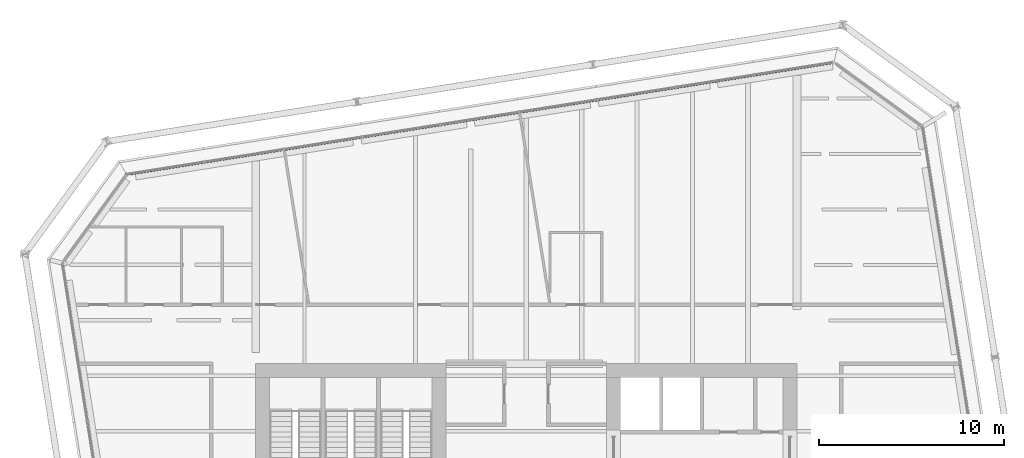
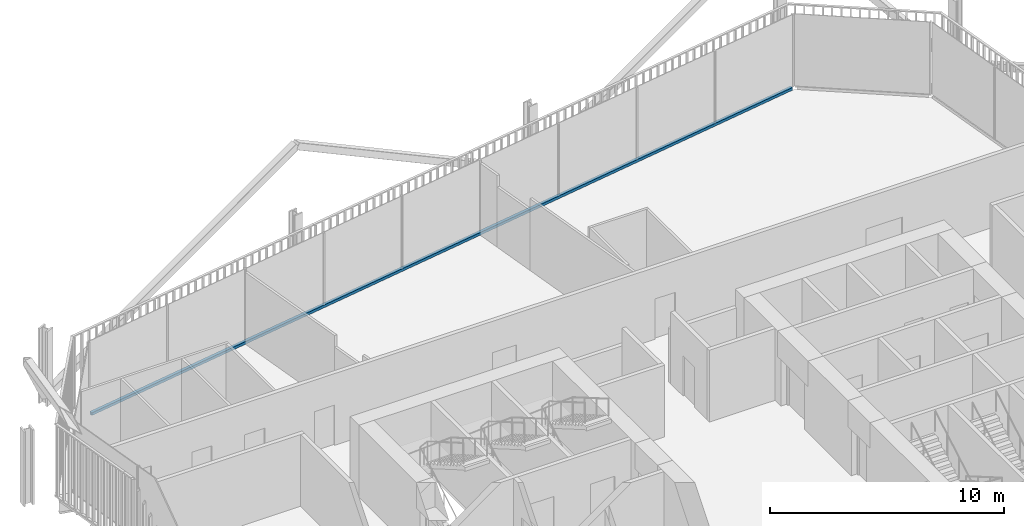
# One storey, part 9 of 19: 1 member, 1 element without a shape of its own.
"""IFC4 building model written with IfcOpenShell, lengths in metres."""

from ifc_helpers import new_model, si_unit, direction, frame, origin, origin_2d, place, context, subcontext, project, spatial, rectangle, extrude, material, layer, layer_set, material_profile, profile_set, type_object, element, aggregate, save


model = new_model("IFC4")

# Units and contexts
model_context = context("Model", 3, precision=1e-05, world=origin(), true_north=direction((0.0, 1.0)))
body_context = subcontext(model_context, "Body", "Model", "MODEL_VIEW")
ifc_project = project(units=[si_unit("LENGTHUNIT", "METRE"), si_unit("AREAUNIT", "SQUARE_METRE"), si_unit("VOLUMEUNIT", "CUBIC_METRE"), si_unit("PLANEANGLEUNIT", "RADIAN"), si_unit("MASSUNIT", "GRAM", prefix="KILO")], contexts=[model_context])

# Site, building, storey
site_placement = place(None, origin())
site = spatial("IfcSite", under=ifc_project, at=site_placement, CompositionType="ELEMENT")
building_placement = place(site_placement, origin())
building = spatial("IfcBuilding", under=site, at=building_placement, Name="Millrace Tower", CompositionType="ELEMENT")
storey_placement = place(building_placement, frame((0.0, 0.0, 129.5)))
storey = spatial("IfcBuildingStorey", under=building, at=storey_placement, Name="L28", CompositionType="ELEMENT", Elevation=129.5)

# Curtain wall, member
ifc_material_1 = material(Name="Aluminium and glass", Category="aluminium")
ifc_layer = layer(ifc_material_1, 0.14990234375)
ifc_layer_set = layer_set([ifc_layer], Name="Aluminium and glass")
curtain_wall_type = type_object("IfcCurtainWallType", Name="CW-1 office vision curtain wall", PredefinedType="NOTDEFINED", material=ifc_layer_set)
curtain_wall_placement = place(storey_placement, origin())
curtain_wall = element("IfcCurtainWall", 1, at=curtain_wall_placement, inside=storey, type_object=curtain_wall_type, Name="Curtain wall C-F06 L28", PredefinedType="NOTDEFINED")
ifc_material_2 = material(Name="Aluminium", Category="aluminium")
ifc_material_profile = material_profile(ifc_material_2, rectangle(XDim=0.14990234375, YDim=0.139892578125, at=origin_2d()))
ifc_profile_set = profile_set([ifc_material_profile], Name="Aluminium")
member_type = type_object("IfcMemberType", Name="CW-1 office vision curtain wall transom", PredefinedType="USERDEFINED", material=ifc_profile_set)
member_placement = place(storey_placement, frame((16.525146484375, 25.946044921875, 0.070068359375), z_axis=(-0.987688505691, -0.156433422663, 0.0), x_axis=(0.156433422663, -0.987688505691, 0.0)))
member = element("IfcMember", 2, at=member_placement, type_object=member_type, Name="CW1 transom C-F06.1", ObjectType="TRANSOM", PredefinedType="USERDEFINED", context=body_context, shape_type="SweptSolid", body=[
    extrude(rectangle(XDim=0.14990234375, YDim=0.139892578125, at=origin_2d()), origin(), (0.0, 0.0, 1.0), 38.5),
])
aggregate(curtain_wall, [member])

save(model, "model.ifc")
